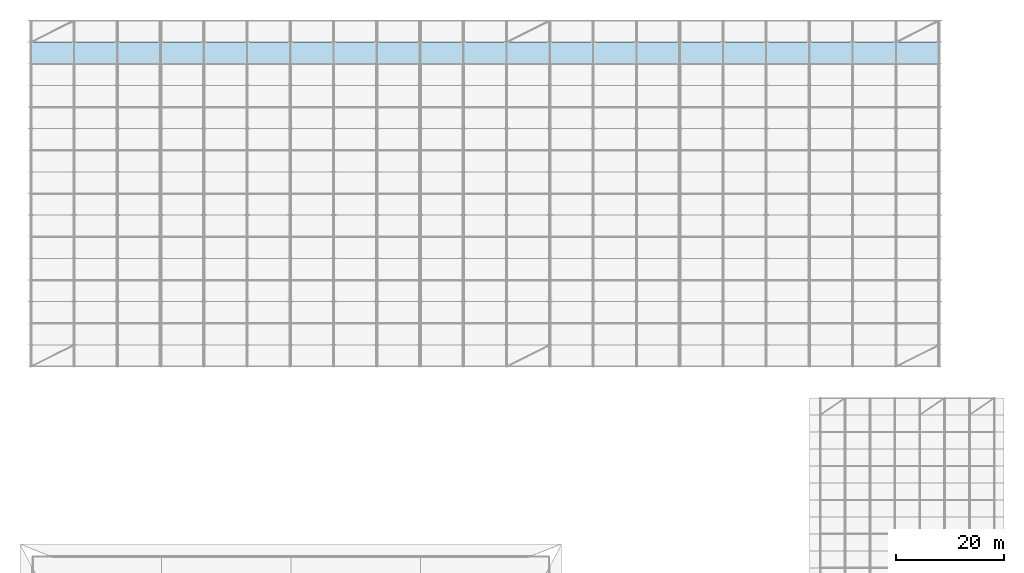
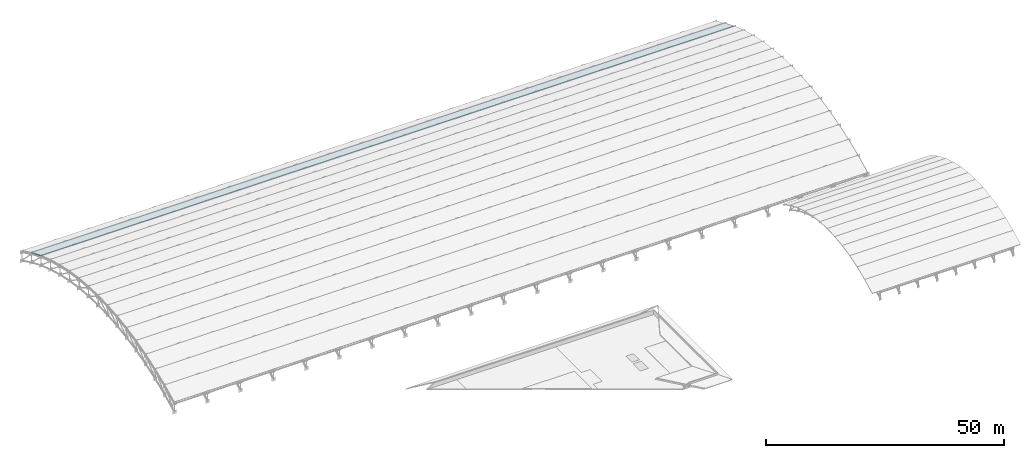
# One storey, part 90 of 98: 1 slab.
"""IFC4 building model written with IfcOpenShell, lengths in metres."""

from ifc_helpers import new_model, si_unit, direction, frame, origin, place, context, subcontext, project, spatial, polyline, outline, extrude, material, layer, layer_set, type_object, element, save


model = new_model("IFC4")

# Units and contexts
model_context = context("Model", 3, precision=1e-05, world=origin(), true_north=direction((0.0, 1.0)))
body_context = subcontext(model_context, "Body", "Model", "MODEL_VIEW")
ifc_project = project(units=[si_unit("LENGTHUNIT", "METRE"), si_unit("AREAUNIT", "SQUARE_METRE"), si_unit("VOLUMEUNIT", "CUBIC_METRE"), si_unit("PLANEANGLEUNIT", "RADIAN"), si_unit("MASSUNIT", "GRAM", prefix="KILO")], contexts=[model_context])

# Site, building, storey
site_placement = place(None, origin())
site = spatial("IfcSite", under=ifc_project, at=site_placement, CompositionType="ELEMENT")
building_placement = place(site_placement, origin())
building = spatial("IfcBuilding", under=site, at=building_placement, Name="Tlacozan Convention Centre", CompositionType="ELEMENT")
storey_placement = place(building_placement, frame((0.0, 0.0, 25.800048828125)))
storey = spatial("IfcBuildingStorey", under=building, at=storey_placement, Name="Roof", CompositionType="ELEMENT", Elevation=25.800048828125)

# Slab
ifc_material = material(Name="Concrete C40/50", Category="concrete")
ifc_layer = layer(ifc_material, 0.179931640625)
ifc_layer_set = layer_set([ifc_layer], Name="Concrete C40/50")
slab_type = type_object("IfcSlabType", Name="Exhibition Arched Roof Deck 180", PredefinedType="ROOF", material=ifc_layer_set)
slab_placement = place(storey_placement, frame((0.0, 118.0, -6.666259765625), z_axis=(0.0, 0.382516157575, 0.923948802258), x_axis=(1.0, 0.0, 0.0)))
element("IfcSlab", 1, at=slab_placement, inside=storey, type_object=slab_type, Name="V2A Arched Roof Facet Slab 15", PredefinedType="ROOF", context=body_context, shape_type="SweptSolid", body=[
    extrude(outline(polyline([(0.0, 0.0), (168.0, 0.0), (168.0, 4.329244207281951), (0.0, 4.329244207281951), (0.0, 0.0)])), origin(), (0.0, 0.0, -1.0), 0.179931640625),
])

save(model, "model.ifc")
